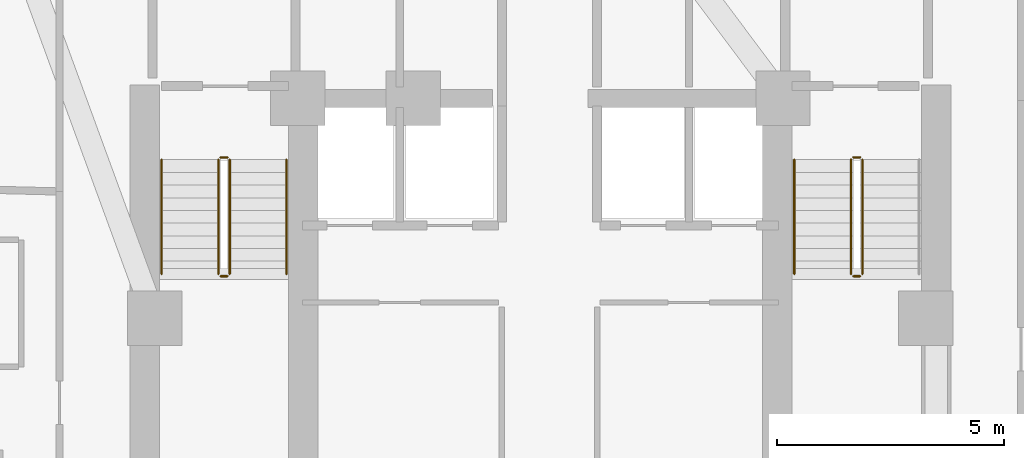
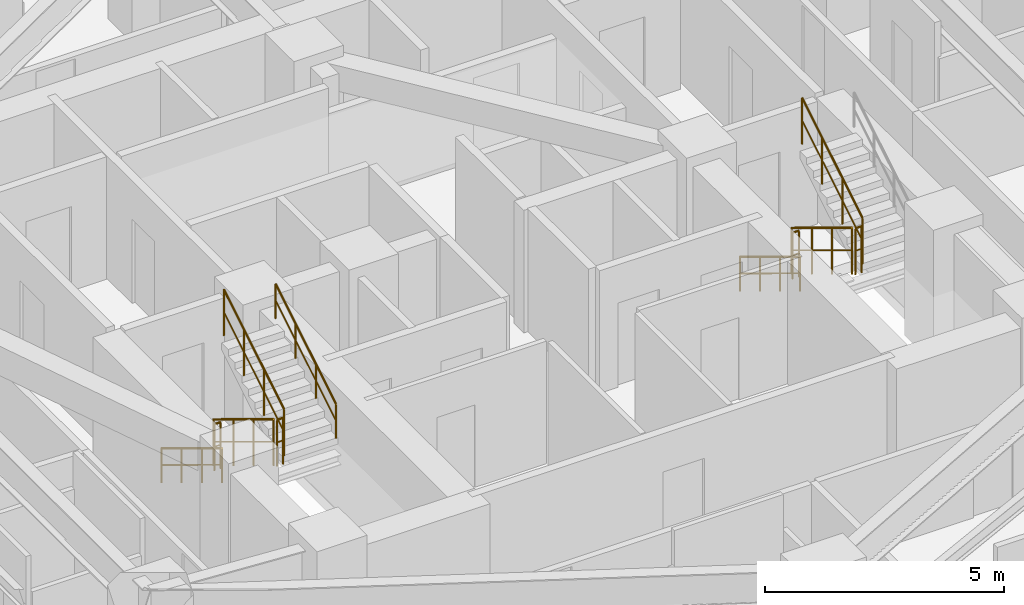
# One storey, part 16 of 17: 11 railings.
"""IFC4 building model written with IfcOpenShell, lengths in metres."""

from ifc_helpers import new_model, si_unit, direction, frame, origin, origin_2d, place, context, subcontext, project, spatial, circle, extrude, material, type_object, element, save


model = new_model("IFC4")

# Units and contexts
model_context = context("Model", 3, precision=1e-05, world=origin(), true_north=direction((0.0, 1.0)))
body_context = subcontext(model_context, "Body", "Model", "MODEL_VIEW")
ifc_project = project(units=[si_unit("LENGTHUNIT", "METRE"), si_unit("AREAUNIT", "SQUARE_METRE"), si_unit("VOLUMEUNIT", "CUBIC_METRE"), si_unit("PLANEANGLEUNIT", "RADIAN"), si_unit("MASSUNIT", "GRAM", prefix="KILO")], contexts=[model_context])

# Site, building, storey
site_placement = place(None, origin())
site = spatial("IfcSite", under=ifc_project, at=site_placement, CompositionType="ELEMENT")
building_placement = place(site_placement, origin())
building = spatial("IfcBuilding", under=site, at=building_placement, Name="Miruveldt Soraemaru", CompositionType="ELEMENT")
storey_placement = place(building_placement, frame((0.0, 0.0, 29.199951171875)))
storey = spatial("IfcBuildingStorey", under=building, at=storey_placement, Name="L07", CompositionType="ELEMENT", Elevation=29.199951171875)

# Railings
ifc_material = material(Name="Steel S355 (355 MPa)", Category="steel")
railing_type_1 = type_object("IfcRailingType", Name="RAIL-HR-900", PredefinedType="HANDRAIL", material=ifc_material)
railing_1_placement = place(storey_placement, frame((35.64990234375, 42.699951171875, 0.170166015625)))
element("IfcRailing", 1, at=railing_1_placement, inside=storey, type_object=railing_type_1, Name="L07 ST-1 stair handrail 1", PredefinedType="HANDRAIL", context=body_context, shape_type="SweptSolid", body=[
    extrude(circle(Radius=0.02392578125, at=origin_2d()), frame((0.0, 0.0, 0.8759765625), z_axis=(0.0, -0.854821627497, 0.518921945155), x_axis=(1.0, 0.0, 0.0)), (0.0, 0.0, 1.0), 2.947998046875),
    extrude(circle(Radius=0.01611328125, at=origin_2d()), frame((0.0, 0.0, 0.449951171875), z_axis=(0.0, -0.854821627497, 0.518921945155), x_axis=(1.0, 0.0, 0.0)), (0.0, 0.0, 1.0), 2.947998046875),
    extrude(circle(Radius=0.02099609375, at=origin_2d()), origin(), (0.0, 0.0, 1.0), 0.851806640625),
    extrude(circle(Radius=0.02099609375, at=origin_2d()), frame((0.0, -0.840087890625, 0.510009765625)), (0.0, 0.0, 1.0), 0.851806640625),
    extrude(circle(Radius=0.02099609375, at=origin_2d()), frame((0.0, -1.679931640625, 1.019775390625)), (0.0, 0.0, 1.0), 0.851806640625),
    extrude(circle(Radius=0.02099609375, at=origin_2d()), frame((0.0, -2.52001953125, 1.52978515625)), (0.0, 0.0, 1.0), 0.851806640625),
])
railing_2_placement = place(storey_placement, frame((38.39990234375, 40.179931640625, 1.8701171875)))
element("IfcRailing", 2, at=railing_2_placement, inside=storey, type_object=railing_type_1, Name="L07 ST-1 stair handrail 2", PredefinedType="HANDRAIL", context=body_context, shape_type="SweptSolid", body=[
    extrude(circle(Radius=0.02392578125, at=origin_2d()), frame((0.0, 0.0, 0.8759765625), z_axis=(0.0, 0.85478489116, 0.518982456201), x_axis=(-1.0, 0.0, 0.0)), (0.0, 0.0, 1.0), 2.9482421875),
    extrude(circle(Radius=0.01611328125, at=origin_2d()), frame((0.0, 0.0, 0.449951171875), z_axis=(0.0, 0.85478489116, 0.518982456201), x_axis=(-1.0, 0.0, 0.0)), (0.0, 0.0, 1.0), 2.9482421875),
    extrude(circle(Radius=0.02099609375, at=origin_2d()), origin(), (0.0, 0.0, 1.0), 0.851806640625),
    extrude(circle(Radius=0.02099609375, at=origin_2d()), frame((0.0, 0.840087890625, 0.510009765625)), (0.0, 0.0, 1.0), 0.851806640625),
    extrude(circle(Radius=0.02099609375, at=origin_2d()), frame((0.0, 1.679931640625, 1.02001953125)), (0.0, 0.0, 1.0), 0.851806640625),
    extrude(circle(Radius=0.02099609375, at=origin_2d()), frame((0.0, 2.52001953125, 1.530029296875)), (0.0, 0.0, 1.0), 0.851806640625),
])
railing_3_placement = place(storey_placement, frame((49.60009765625, 42.699951171875, 0.170166015625)))
element("IfcRailing", 3, at=railing_3_placement, inside=storey, type_object=railing_type_1, Name="L07 ST-2 stair handrail 1", PredefinedType="HANDRAIL", context=body_context, shape_type="SweptSolid", body=[
    extrude(circle(Radius=0.02392578125, at=origin_2d()), frame((0.0, 0.0, 0.8759765625), z_axis=(0.0, -0.854821627497, 0.518921945155), x_axis=(1.0, 0.0, 0.0)), (0.0, 0.0, 1.0), 2.947998046875),
    extrude(circle(Radius=0.01611328125, at=origin_2d()), frame((0.0, 0.0, 0.449951171875), z_axis=(0.0, -0.854821627497, 0.518921945155), x_axis=(1.0, 0.0, 0.0)), (0.0, 0.0, 1.0), 2.947998046875),
    extrude(circle(Radius=0.02099609375, at=origin_2d()), origin(), (0.0, 0.0, 1.0), 0.851806640625),
    extrude(circle(Radius=0.02099609375, at=origin_2d()), frame((0.0, -0.840087890625, 0.510009765625)), (0.0, 0.0, 1.0), 0.851806640625),
    extrude(circle(Radius=0.02099609375, at=origin_2d()), frame((0.0, -1.679931640625, 1.019775390625)), (0.0, 0.0, 1.0), 0.851806640625),
    extrude(circle(Radius=0.02099609375, at=origin_2d()), frame((0.0, -2.52001953125, 1.52978515625)), (0.0, 0.0, 1.0), 0.851806640625),
])
railing_type_2 = type_object("IfcRailingType", Name="RAIL-STGUARD-1200", PredefinedType="GUARDRAIL", material=ifc_material)
railing_4_placement = place(storey_placement, frame((36.89990234375, 42.699951171875, 0.170166015625)))
element("IfcRailing", 4, at=railing_4_placement, inside=storey, type_object=railing_type_2, Name="L07 ST-1 stair guard 1", PredefinedType="GUARDRAIL", context=body_context, shape_type="SweptSolid", body=[
    extrude(circle(Radius=0.02392578125, at=origin_2d()), frame((0.0, 0.0, 1.17578125), z_axis=(0.0, -0.854821627497, 0.518921945155), x_axis=(1.0, 0.0, 0.0)), (0.0, 0.0, 1.0), 2.947998046875),
    extrude(circle(Radius=0.01611328125, at=origin_2d()), frame((0.0, 0.0, 0.60009765625), z_axis=(0.0, -0.854821627497, 0.518921945155), x_axis=(1.0, 0.0, 0.0)), (0.0, 0.0, 1.0), 2.947998046875),
    extrude(circle(Radius=0.02099609375, at=origin_2d()), origin(), (0.0, 0.0, 1.0), 1.15185546875),
    extrude(circle(Radius=0.02099609375, at=origin_2d()), frame((0.0, -0.840087890625, 0.510009765625)), (0.0, 0.0, 1.0), 1.15185546875),
    extrude(circle(Radius=0.02099609375, at=origin_2d()), frame((0.0, -1.679931640625, 1.019775390625)), (0.0, 0.0, 1.0), 1.15185546875),
    extrude(circle(Radius=0.02099609375, at=origin_2d()), frame((0.0, -2.52001953125, 1.52978515625)), (0.0, 0.0, 1.0), 1.15185546875),
])
railing_5_placement = place(storey_placement, frame((36.949951171875, 40.1298828125, 1.699951171875)))
element("IfcRailing", 5, at=railing_5_placement, inside=storey, type_object=railing_type_2, Name="L07 ST-1 stair guard 2", PredefinedType="GUARDRAIL", context=body_context, shape_type="SweptSolid", body=[
    extrude(circle(Radius=0.02392578125, at=origin_2d()), frame((0.0, 0.0, 1.17578125), z_axis=(1.0, 0.0, 0.0), x_axis=(0.0, 1.0, 0.0)), (0.0, 0.0, 1.0), 0.150146484375),
    extrude(circle(Radius=0.01611328125, at=origin_2d()), frame((0.0, 0.0, 0.60009765625), z_axis=(1.0, 0.0, 0.0), x_axis=(0.0, 1.0, 0.0)), (0.0, 0.0, 1.0), 0.150146484375),
    extrude(circle(Radius=0.02099609375, at=origin_2d()), origin(), (0.0, 0.0, 1.0), 1.15185546875),
    extrude(circle(Radius=0.02099609375, at=origin_2d()), frame((0.150146484375, 0.0, 0.0)), (0.0, 0.0, 1.0), 1.15185546875),
])
railing_6_placement = place(storey_placement, frame((37.14990234375, 40.179931640625, 1.8701171875)))
element("IfcRailing", 6, at=railing_6_placement, inside=storey, type_object=railing_type_2, Name="L07 ST-1 stair guard 3", PredefinedType="GUARDRAIL", context=body_context, shape_type="SweptSolid", body=[
    extrude(circle(Radius=0.02392578125, at=origin_2d()), frame((0.0, 0.0, 1.17578125), z_axis=(0.0, 0.85478489116, 0.518982456201), x_axis=(-1.0, 0.0, 0.0)), (0.0, 0.0, 1.0), 2.9482421875),
    extrude(circle(Radius=0.01611328125, at=origin_2d()), frame((0.0, 0.0, 0.60009765625), z_axis=(0.0, 0.85478489116, 0.518982456201), x_axis=(-1.0, 0.0, 0.0)), (0.0, 0.0, 1.0), 2.9482421875),
    extrude(circle(Radius=0.02099609375, at=origin_2d()), origin(), (0.0, 0.0, 1.0), 1.15185546875),
    extrude(circle(Radius=0.02099609375, at=origin_2d()), frame((0.0, 0.840087890625, 0.510009765625)), (0.0, 0.0, 1.0), 1.15185546875),
    extrude(circle(Radius=0.02099609375, at=origin_2d()), frame((0.0, 1.679931640625, 1.02001953125)), (0.0, 0.0, 1.0), 1.15185546875),
    extrude(circle(Radius=0.02099609375, at=origin_2d()), frame((0.0, 2.52001953125, 1.530029296875)), (0.0, 0.0, 1.0), 1.15185546875),
])
railing_7_placement = place(storey_placement, frame((36.949951171875, 42.75, 0.0)))
element("IfcRailing", 7, at=railing_7_placement, inside=storey, type_object=railing_type_2, Name="L07 ST-1 stair guard 4", PredefinedType="GUARDRAIL", context=body_context, shape_type="SweptSolid", body=[
    extrude(circle(Radius=0.02392578125, at=origin_2d()), frame((0.0, 0.0, 1.17578125), z_axis=(1.0, 0.0, 0.0), x_axis=(0.0, 1.0, 0.0)), (0.0, 0.0, 1.0), 0.150146484375),
    extrude(circle(Radius=0.01611328125, at=origin_2d()), frame((0.0, 0.0, 0.60009765625), z_axis=(1.0, 0.0, 0.0), x_axis=(0.0, 1.0, 0.0)), (0.0, 0.0, 1.0), 0.150146484375),
    extrude(circle(Radius=0.02099609375, at=origin_2d()), origin(), (0.0, 0.0, 1.0), 1.15185546875),
    extrude(circle(Radius=0.02099609375, at=origin_2d()), frame((0.150146484375, 0.0, 0.0)), (0.0, 0.0, 1.0), 1.15185546875),
])
railing_8_placement = place(storey_placement, frame((50.85009765625, 42.699951171875, 0.170166015625)))
element("IfcRailing", 8, at=railing_8_placement, inside=storey, type_object=railing_type_2, Name="L07 ST-2 stair guard 1", PredefinedType="GUARDRAIL", context=body_context, shape_type="SweptSolid", body=[
    extrude(circle(Radius=0.02392578125, at=origin_2d()), frame((0.0, 0.0, 1.17578125), z_axis=(0.0, -0.854821627497, 0.518921945155), x_axis=(1.0, 0.0, 0.0)), (0.0, 0.0, 1.0), 2.947998046875),
    extrude(circle(Radius=0.01611328125, at=origin_2d()), frame((0.0, 0.0, 0.60009765625), z_axis=(0.0, -0.854821627497, 0.518921945155), x_axis=(1.0, 0.0, 0.0)), (0.0, 0.0, 1.0), 2.947998046875),
    extrude(circle(Radius=0.02099609375, at=origin_2d()), origin(), (0.0, 0.0, 1.0), 1.15185546875),
    extrude(circle(Radius=0.02099609375, at=origin_2d()), frame((0.0, -0.840087890625, 0.510009765625)), (0.0, 0.0, 1.0), 1.15185546875),
    extrude(circle(Radius=0.02099609375, at=origin_2d()), frame((0.0, -1.679931640625, 1.019775390625)), (0.0, 0.0, 1.0), 1.15185546875),
    extrude(circle(Radius=0.02099609375, at=origin_2d()), frame((0.0, -2.52001953125, 1.52978515625)), (0.0, 0.0, 1.0), 1.15185546875),
])
railing_9_placement = place(storey_placement, frame((50.89990234375, 40.1298828125, 1.699951171875)))
element("IfcRailing", 9, at=railing_9_placement, inside=storey, type_object=railing_type_2, Name="L07 ST-2 stair guard 2", PredefinedType="GUARDRAIL", context=body_context, shape_type="SweptSolid", body=[
    extrude(circle(Radius=0.02392578125, at=origin_2d()), frame((0.0, 0.0, 1.17578125), z_axis=(1.0, 0.0, 0.0), x_axis=(0.0, 1.0, 0.0)), (0.0, 0.0, 1.0), 0.150146484375),
    extrude(circle(Radius=0.01611328125, at=origin_2d()), frame((0.0, 0.0, 0.60009765625), z_axis=(1.0, 0.0, 0.0), x_axis=(0.0, 1.0, 0.0)), (0.0, 0.0, 1.0), 0.150146484375),
    extrude(circle(Radius=0.02099609375, at=origin_2d()), origin(), (0.0, 0.0, 1.0), 1.15185546875),
    extrude(circle(Radius=0.02099609375, at=origin_2d()), frame((0.150146484375, 0.0, 0.0)), (0.0, 0.0, 1.0), 1.15185546875),
])
railing_10_placement = place(storey_placement, frame((51.10009765625, 40.179931640625, 1.8701171875)))
element("IfcRailing", 10, at=railing_10_placement, inside=storey, type_object=railing_type_2, Name="L07 ST-2 stair guard 3", PredefinedType="GUARDRAIL", context=body_context, shape_type="SweptSolid", body=[
    extrude(circle(Radius=0.02392578125, at=origin_2d()), frame((0.0, 0.0, 1.17578125), z_axis=(0.0, 0.85478489116, 0.518982456201), x_axis=(-1.0, 0.0, 0.0)), (0.0, 0.0, 1.0), 2.9482421875),
    extrude(circle(Radius=0.01611328125, at=origin_2d()), frame((0.0, 0.0, 0.60009765625), z_axis=(0.0, 0.85478489116, 0.518982456201), x_axis=(-1.0, 0.0, 0.0)), (0.0, 0.0, 1.0), 2.9482421875),
    extrude(circle(Radius=0.02099609375, at=origin_2d()), origin(), (0.0, 0.0, 1.0), 1.15185546875),
    extrude(circle(Radius=0.02099609375, at=origin_2d()), frame((0.0, 0.840087890625, 0.510009765625)), (0.0, 0.0, 1.0), 1.15185546875),
    extrude(circle(Radius=0.02099609375, at=origin_2d()), frame((0.0, 1.679931640625, 1.02001953125)), (0.0, 0.0, 1.0), 1.15185546875),
    extrude(circle(Radius=0.02099609375, at=origin_2d()), frame((0.0, 2.52001953125, 1.530029296875)), (0.0, 0.0, 1.0), 1.15185546875),
])
railing_11_placement = place(storey_placement, frame((50.89990234375, 42.75, 0.0)))
element("IfcRailing", 11, at=railing_11_placement, inside=storey, type_object=railing_type_2, Name="L07 ST-2 stair guard 4", PredefinedType="GUARDRAIL", context=body_context, shape_type="SweptSolid", body=[
    extrude(circle(Radius=0.02392578125, at=origin_2d()), frame((0.0, 0.0, 1.17578125), z_axis=(1.0, 0.0, 0.0), x_axis=(0.0, 1.0, 0.0)), (0.0, 0.0, 1.0), 0.150146484375),
    extrude(circle(Radius=0.01611328125, at=origin_2d()), frame((0.0, 0.0, 0.60009765625), z_axis=(1.0, 0.0, 0.0), x_axis=(0.0, 1.0, 0.0)), (0.0, 0.0, 1.0), 0.150146484375),
    extrude(circle(Radius=0.02099609375, at=origin_2d()), origin(), (0.0, 0.0, 1.0), 1.15185546875),
    extrude(circle(Radius=0.02099609375, at=origin_2d()), frame((0.150146484375, 0.0, 0.0)), (0.0, 0.0, 1.0), 1.15185546875),
])

save(model, "model.ifc")
